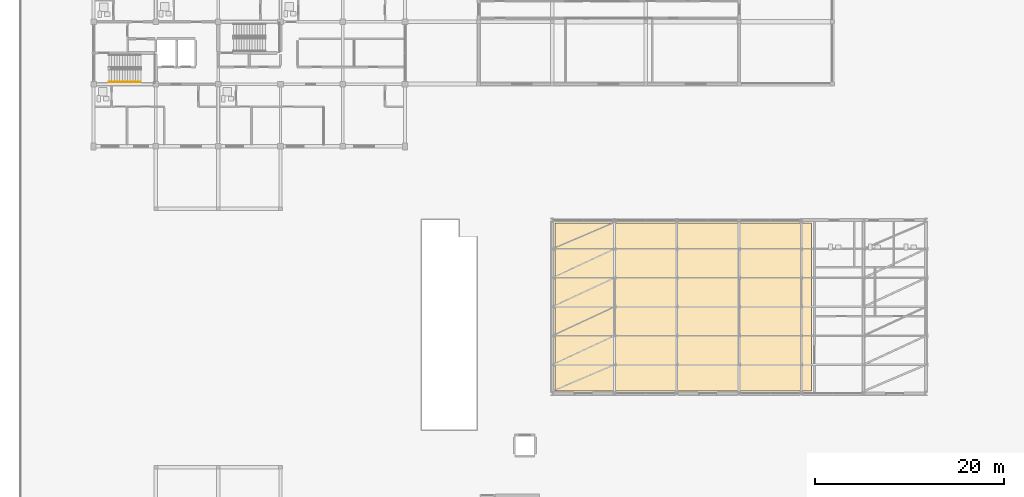
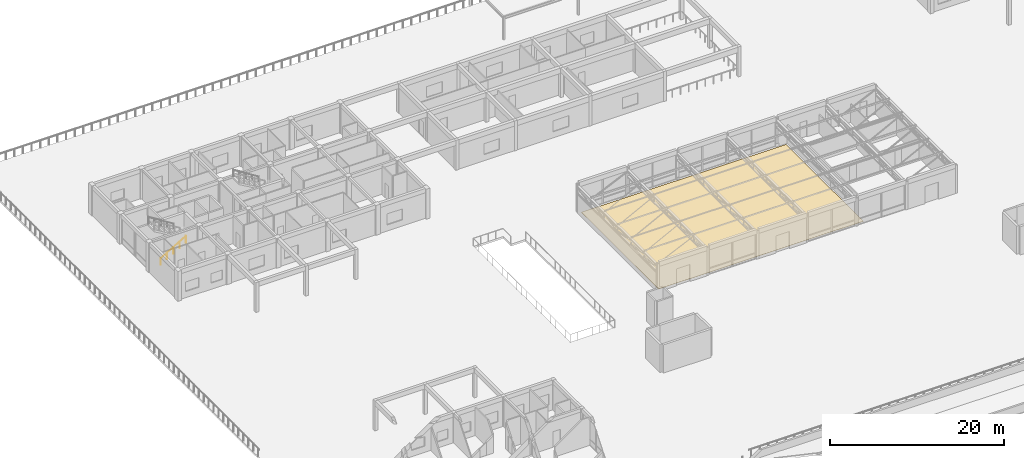
# One storey, part 85 of 92: 1 covering, 1 railing.
"""IFC4 building model written with IfcOpenShell, lengths in metres."""

from ifc_helpers import new_model, si_unit, direction, frame, origin, origin_2d, place, context, subcontext, project, spatial, polyline, circle, outline, extrude, material, layer, layer_set, type_object, element, save


model = new_model("IFC4")

# Units and contexts
model_context = context("Model", 3, precision=1e-05, world=origin(), true_north=direction((0.0, 1.0)))
body_context = subcontext(model_context, "Body", "Model", "MODEL_VIEW")
ifc_project = project(units=[si_unit("LENGTHUNIT", "METRE"), si_unit("AREAUNIT", "SQUARE_METRE"), si_unit("VOLUMEUNIT", "CUBIC_METRE"), si_unit("PLANEANGLEUNIT", "RADIAN"), si_unit("MASSUNIT", "GRAM", prefix="KILO")], contexts=[model_context])

# Site, building, storey
site_placement = place(None, origin())
site = spatial("IfcSite", under=ifc_project, at=site_placement, CompositionType="ELEMENT")
building_placement = place(site_placement, origin())
building = spatial("IfcBuilding", under=site, at=building_placement, Name="Kernevlak Ridge Housing Community", CompositionType="ELEMENT")
storey_placement = place(building_placement, frame((0.0, 0.0, 4.199951171875)))
storey = spatial("IfcBuildingStorey", under=building, at=storey_placement, Name="L01", CompositionType="ELEMENT", Elevation=4.199951171875)

# Covering
ifc_material_1 = material(Name="Polished pale terrazzo tile flooring")
ifc_layer = layer(ifc_material_1, 0.02490234375, Name="Polished pale terrazzo tile flooring")
ifc_layer_set = layer_set([ifc_layer], Name="Polished pale terrazzo tile flooring")
covering_type = type_object("IfcCoveringType", Name="CV-02", PredefinedType="FLOORING", material=ifc_layer_set)
covering_placement = place(storey_placement, origin())
element("IfcCovering", 1, at=covering_placement, inside=storey, type_object=covering_type, Name="Community Hall terrazzo floor finish", PredefinedType="FLOORING", context=body_context, shape_type="SweptSolid", body=[
    extrude(outline(polyline([(64.5, 50.10009765625), (91.699951171875, 50.10009765625), (91.699951171875, 67.89990234375), (64.5, 67.89990234375), (64.5, 50.10009765625)])), origin(), (0.0, 0.0, 1.0), 0.025146484375),
])

# Railing
ifc_material_2 = material(Name="Stainless steel EN 1.4401", Category="steel")
railing_type = type_object("IfcRailingType", Name="HR-01", PredefinedType="HANDRAIL", material=ifc_material_2)
railing_placement = place(storey_placement, frame((17.239990234375, 82.820068359375, 0.16162109375)))
element("IfcRailing", 2, at=railing_placement, inside=storey, type_object=railing_type, Name="Stair ST-A1 L01 flight 1 handrail", PredefinedType="HANDRAIL", context=body_context, shape_type="SweptSolid", body=[
    extrude(circle(Radius=0.02392578125, at=origin_2d()), frame((0.0, 0.0, 0.89599609375), z_axis=(0.866190824863, 0.0, 0.499713372768), x_axis=(0.0, 1.0, 0.0)), (0.0, 0.0, 1.0), 3.879150390625),
    extrude(circle(Radius=0.02099609375, at=origin_2d()), origin(), (0.0, 0.0, 1.0), 0.871826171875),
    extrude(circle(Radius=0.02099609375, at=origin_2d()), frame((0.840087890625, 0.0, 0.484619140625)), (0.0, 0.0, 1.0), 0.871826171875),
    extrude(circle(Radius=0.02099609375, at=origin_2d()), frame((1.68017578125, 0.0, 0.96923828125)), (0.0, 0.0, 1.0), 0.871826171875),
    extrude(circle(Radius=0.02099609375, at=origin_2d()), frame((2.52001953125, 0.0, 1.453857421875)), (0.0, 0.0, 1.0), 0.871826171875),
    extrude(circle(Radius=0.02099609375, at=origin_2d()), frame((3.360107421875, 0.0, 1.9384765625)), (0.0, 0.0, 1.0), 0.871826171875),
])

save(model, "model.ifc")
